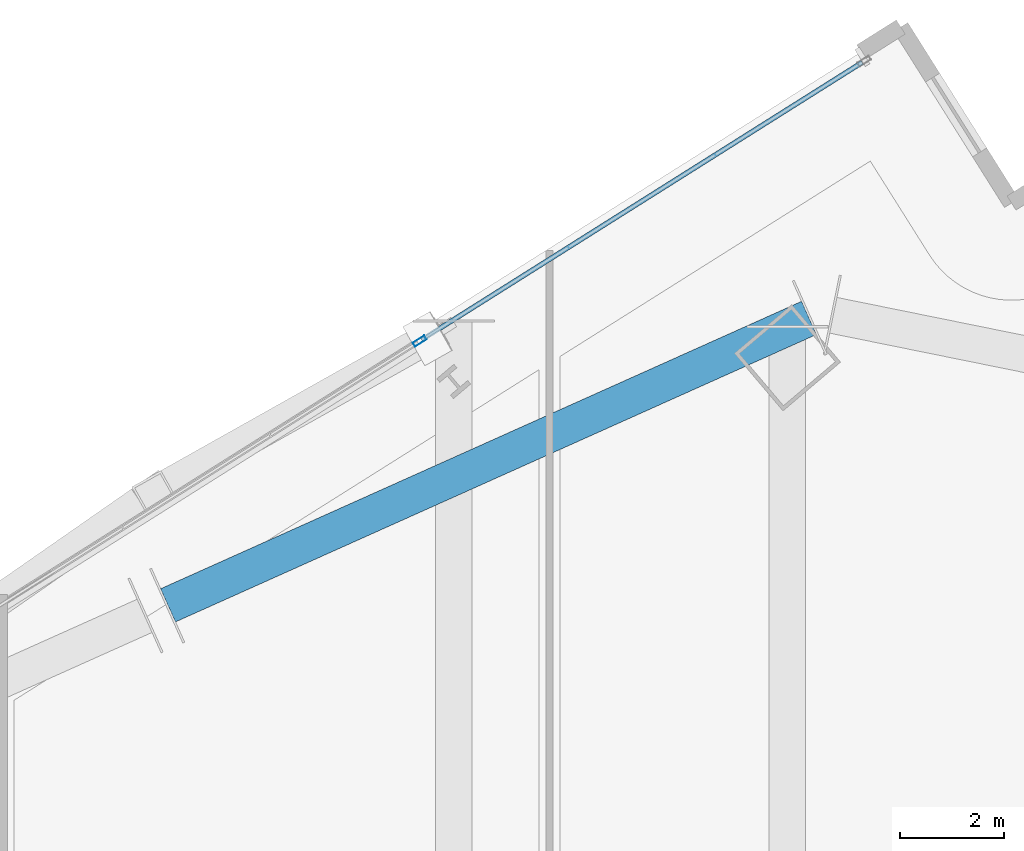
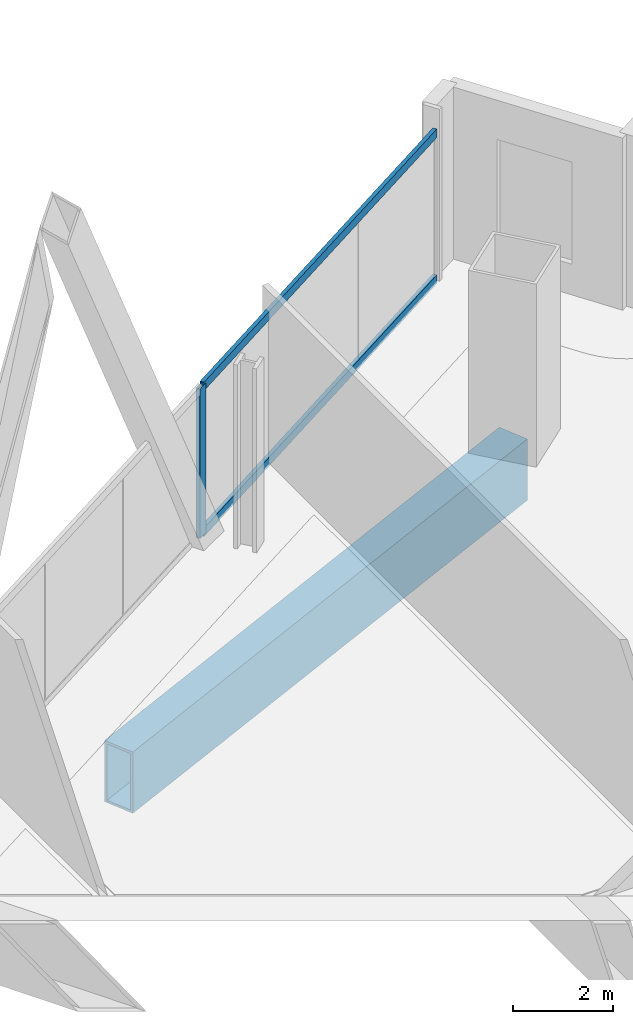
# One storey, part 14 of 29: 3 members, 1 beam, 1 element without a shape of its own.
"""IFC4 building model written with IfcOpenShell, lengths in metres."""

from ifc_helpers import new_model, si_unit, direction, frame, origin, origin_2d, place, context, subcontext, project, spatial, hollow_rectangle, extrude, material, material_profile, profile_set, type_object, element, aggregate, save


model = new_model("IFC4")

# Units and contexts
model_context = context("Model", 3, precision=1e-05, world=origin(), true_north=direction((0.0, 1.0)))
body_context = subcontext(model_context, "Body", "Model", "MODEL_VIEW")
ifc_project = project(units=[si_unit("LENGTHUNIT", "METRE"), si_unit("AREAUNIT", "SQUARE_METRE"), si_unit("VOLUMEUNIT", "CUBIC_METRE"), si_unit("PLANEANGLEUNIT", "RADIAN"), si_unit("MASSUNIT", "GRAM", prefix="KILO")], contexts=[model_context])

# Site, building, storey
site_placement = place(None, origin())
site = spatial("IfcSite", under=ifc_project, at=site_placement, CompositionType="ELEMENT")
building_placement = place(site_placement, origin())
building = spatial("IfcBuilding", under=site, at=building_placement, Name="Haldenkirk Collegiate Tower", CompositionType="ELEMENT")
storey_placement = place(building_placement, frame((0.0, 0.0, 136.199951171875)))
storey = spatial("IfcBuildingStorey", under=building, at=storey_placement, Name="L33", CompositionType="ELEMENT", Elevation=136.199951171875)

# Beam
ifc_material_1 = material(Name="Steel ASTM A572 Grade 50", Category="steel")
ifc_material_profile_1 = material_profile(ifc_material_1, hollow_rectangle(XDim=0.699951171875, YDim=1.5, WallThickness=0.06005859375, at=origin_2d()), Name="BOX1500X700X60")
ifc_profile_set_1 = profile_set([ifc_material_profile_1], Name="Steel ASTM A572 Grade 50")
beam_type = type_object("IfcBeamType", Name="BM-TRANSFER-BOX1500X700X60", PredefinedType="BEAM", material=ifc_profile_set_1)
beam_placement = place(storey_placement, frame((39.4921875, 51.84033203125, -1.14990234375), z_axis=(-0.912476765144, -0.409128528793, 0.0), x_axis=(0.409128528793, -0.912476765144, 0.0)))
element("IfcBeam", 1, at=beam_placement, inside=storey, type_object=beam_type, Name="L33 sky-lobby perimeter transfer girder 10", PredefinedType="BEAM", context=body_context, shape_type="SweptSolid", body=[
    extrude(hollow_rectangle(XDim=0.699951171875, YDim=1.5, WallThickness=0.06005859375, at=origin_2d()), origin(), (0.0, 0.0, 1.0), 13.512939453125),
])

# Curtain wall, members
ifc_material_2 = material(Name="Anodised architectural bronze aluminium", Category="aluminium")
curtain_wall_type = type_object("IfcCurtainWallType", Name="CW-SYS4-SKYGARDEN", PredefinedType="USERDEFINED", material=ifc_material_2)
curtain_wall_placement = place(storey_placement, origin())
curtain_wall = element("IfcCurtainWall", 2, at=curtain_wall_placement, inside=storey, type_object=curtain_wall_type, Name="L33 Sky-garden tall bronze curtain wall", ObjectType="UNITISED CURTAIN WALL", PredefinedType="USERDEFINED")
ifc_material_profile_2 = material_profile(ifc_material_2, hollow_rectangle(XDim=0.090087890625, YDim=0.260009765625, WallThickness=0.0048828125, at=origin_2d()), Name="CW-MUL-04")
ifc_profile_set_2 = profile_set([ifc_material_profile_2], Name="Anodised architectural bronze aluminium")
member_type_1 = type_object("IfcMemberType", Name="CW-MUL-04", PredefinedType="MULLION", material=ifc_profile_set_2)
member_1_placement = place(storey_placement, frame((32.002197265625, 51.395751953125, 0.0), z_axis=(0.0, 0.0, 1.0), x_axis=(-0.532877157609, 0.846192610993, 0.0)))
member_1 = element("IfcMember", 3, at=member_1_placement, type_object=member_type_1, Name="CW-04 mullion 4", PredefinedType="MULLION", context=body_context, shape_type="SweptSolid", body=[
    extrude(hollow_rectangle(XDim=0.090087890625, YDim=0.260009765625, WallThickness=0.0048828125, at=origin_2d()), origin(), (0.0, 0.0, 1.0), 3.6611328125),
])
ifc_material_profile_3 = material_profile(ifc_material_2, hollow_rectangle(XDim=0.090087890625, YDim=0.2099609375, WallThickness=0.0048828125, at=origin_2d()), Name="CW-TRN-04")
ifc_profile_set_3 = profile_set([ifc_material_profile_3], Name="Anodised architectural bronze aluminium")
member_type_2 = type_object("IfcMemberType", Name="CW-TRN-04", PredefinedType="USERDEFINED", material=ifc_profile_set_3)
member_2_placement = place(storey_placement, frame((32.040283203125, 51.419677734375, 0.045166015625), z_axis=(0.846185614684, 0.532888267371, 0.0), x_axis=(-0.532888267371, 0.846185614684, 0.0)))
member_2 = element("IfcMember", 4, at=member_2_placement, type_object=member_type_2, Name="CW-04 transom 4.1", ObjectType="TRANSOM", PredefinedType="USERDEFINED", context=body_context, shape_type="SweptSolid", body=[
    extrude(hollow_rectangle(XDim=0.090087890625, YDim=0.2099609375, WallThickness=0.0048828125, at=origin_2d()), origin(), (0.0, 0.0, 1.0), 10.01513671875),
])
member_3_placement = place(storey_placement, frame((32.040283203125, 51.419677734375, 3.615966796875), z_axis=(0.846185614684, 0.532888267371, 0.0), x_axis=(-0.532888267371, 0.846185614684, 0.0)))
member_3 = element("IfcMember", 5, at=member_3_placement, type_object=member_type_2, Name="CW-04 transom 4.2", ObjectType="TRANSOM", PredefinedType="USERDEFINED", context=body_context, shape_type="SweptSolid", body=[
    extrude(hollow_rectangle(XDim=0.090087890625, YDim=0.2099609375, WallThickness=0.0048828125, at=origin_2d()), origin(), (0.0, 0.0, 1.0), 10.01513671875),
])
aggregate(curtain_wall, [member_1, member_2, member_3])

save(model, "model.ifc")
